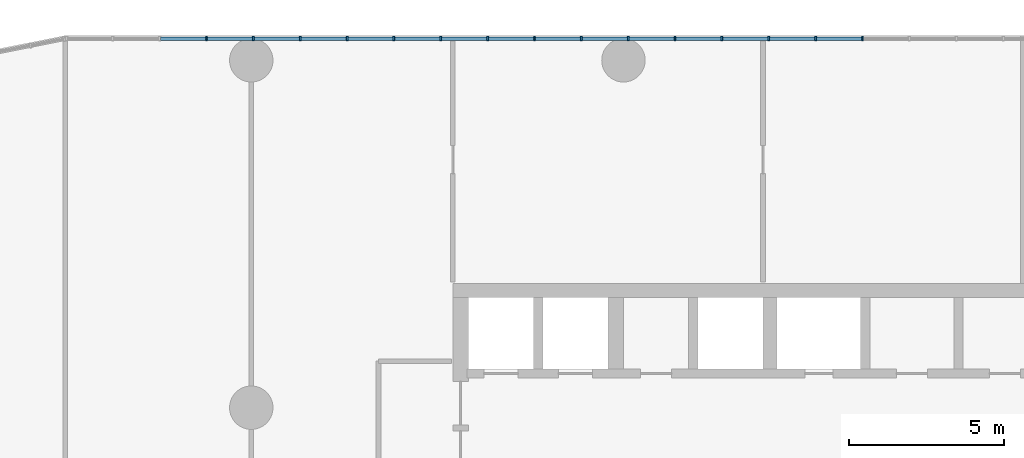
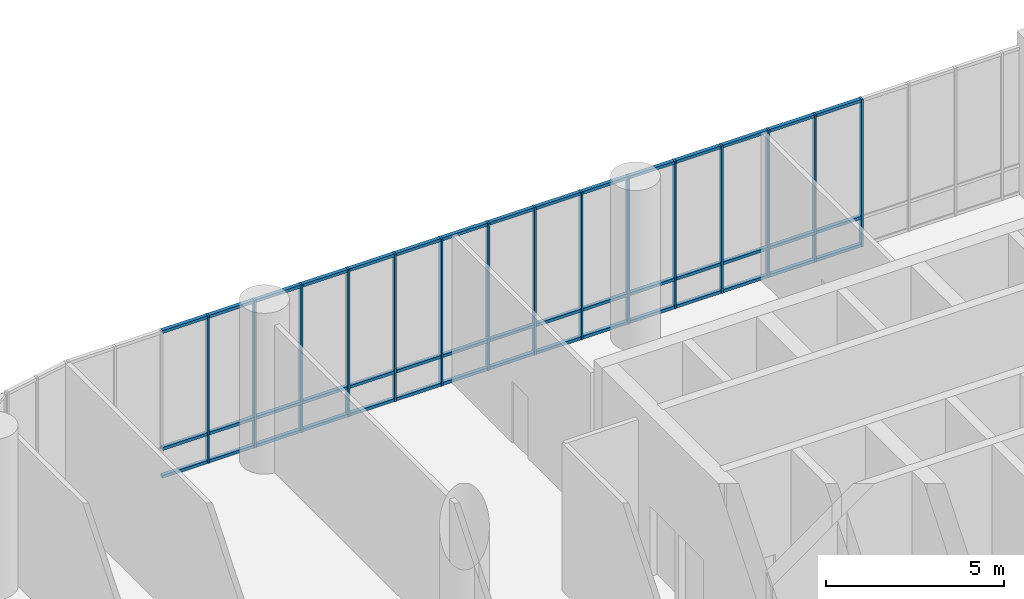
# One storey, part 10 of 30: 60 members, 1 element without a shape of its own.
"""IFC4 building model written with IfcOpenShell, lengths in metres."""

from ifc_helpers import new_model, si_unit, direction, frame, origin, origin_2d, place, context, subcontext, project, spatial, rectangle, extrude, material, layer, layer_set, material_profile, profile_set, type_object, element, aggregate, save


model = new_model("IFC4")

# Units and contexts
model_context = context("Model", 3, precision=1e-05, world=origin(), true_north=direction((0.0, 1.0)))
body_context = subcontext(model_context, "Body", "Model", "MODEL_VIEW")
ifc_project = project(units=[si_unit("LENGTHUNIT", "METRE"), si_unit("AREAUNIT", "SQUARE_METRE"), si_unit("VOLUMEUNIT", "CUBIC_METRE"), si_unit("PLANEANGLEUNIT", "RADIAN"), si_unit("MASSUNIT", "GRAM", prefix="KILO")], contexts=[model_context])

# Site, building, storey
site_placement = place(None, origin())
site = spatial("IfcSite", under=ifc_project, at=site_placement, CompositionType="ELEMENT")
building_placement = place(site_placement, origin())
building = spatial("IfcBuilding", under=site, at=building_placement, Name="Torana Hotel and Residences", CompositionType="ELEMENT")
storey_placement = place(building_placement, frame((0.0, 0.0, 12.5)))
storey = spatial("IfcBuildingStorey", under=building, at=storey_placement, Name="L02", CompositionType="ELEMENT", Elevation=12.5)

# Curtain wall, members
ifc_material_1 = material(Name="Dark anodised aluminium", Category="aluminium")
ifc_layer = layer(ifc_material_1, 0.14990234375)
ifc_layer_set = layer_set([ifc_layer], Name="CW5 PODIUM UPPER UNITISED CURTAIN WALL")
curtain_wall_type = type_object("IfcCurtainWallType", Name="CW5 PODIUM UPPER UNITISED CURTAIN WALL", PredefinedType="NOTDEFINED", material=ifc_layer_set)
curtain_wall_placement = place(storey_placement, origin())
curtain_wall = element("IfcCurtainWall", 1, at=curtain_wall_placement, inside=storey, type_object=curtain_wall_type, Name="Curtain wall CW5 L02 e0.2", PredefinedType="NOTDEFINED")
ifc_material_2 = material(Name="Dark anodised aluminium", Category="aluminium")
ifc_material_profile_1 = material_profile(ifc_material_2, rectangle(XDim=0.14990234375, YDim=0.06005859375, at=origin_2d()), Name="CW5 MULLION 60x150")
ifc_profile_set_1 = profile_set([ifc_material_profile_1], Name="Dark anodised aluminium")
member_type_1 = type_object("IfcMemberType", Name="CW5 MULLION 60x150", PredefinedType="MULLION", material=ifc_profile_set_1)
member_1_placement = place(storey_placement, frame((-16.29296875, 7.89990234375, 0.0), z_axis=(0.0, 0.0, 1.0), x_axis=(0.0, -1.0, 0.0)))
member_1 = element("IfcMember", 2, at=member_1_placement, type_object=member_type_1, Name="CW5 mullion 5", PredefinedType="MULLION", context=body_context, shape_type="SweptSolid", body=[
    extrude(rectangle(XDim=0.14990234375, YDim=0.06005859375, at=origin_2d()), origin(), (0.0, 0.0, 1.0), 5.050048828125),
])
member_2_placement = place(storey_placement, frame((-17.8037109375, 7.89990234375, 0.0), z_axis=(0.0, 0.0, 1.0), x_axis=(0.0, -1.0, 0.0)))
member_2 = element("IfcMember", 3, at=member_2_placement, type_object=member_type_1, Name="CW5 mullion 6", PredefinedType="MULLION", context=body_context, shape_type="SweptSolid", body=[
    extrude(rectangle(XDim=0.14990234375, YDim=0.06005859375, at=origin_2d()), origin(), (0.0, 0.0, 1.0), 5.050048828125),
])
member_3_placement = place(storey_placement, frame((-19.314453125, 7.89990234375, 0.0), z_axis=(0.0, 0.0, 1.0), x_axis=(0.0, -1.0, 0.0)))
member_3 = element("IfcMember", 4, at=member_3_placement, type_object=member_type_1, Name="CW5 mullion 7", PredefinedType="MULLION", context=body_context, shape_type="SweptSolid", body=[
    extrude(rectangle(XDim=0.14990234375, YDim=0.06005859375, at=origin_2d()), origin(), (0.0, 0.0, 1.0), 5.050048828125),
])
member_4_placement = place(storey_placement, frame((-20.8251953125, 7.89990234375, 0.0), z_axis=(0.0, 0.0, 1.0), x_axis=(0.0, -1.0, 0.0)))
member_4 = element("IfcMember", 5, at=member_4_placement, type_object=member_type_1, Name="CW5 mullion 8", PredefinedType="MULLION", context=body_context, shape_type="SweptSolid", body=[
    extrude(rectangle(XDim=0.14990234375, YDim=0.06005859375, at=origin_2d()), origin(), (0.0, 0.0, 1.0), 5.050048828125),
])
member_5_placement = place(storey_placement, frame((-22.3359375, 7.89990234375, 0.0), z_axis=(0.0, 0.0, 1.0), x_axis=(0.0, -1.0, 0.0)))
member_5 = element("IfcMember", 6, at=member_5_placement, type_object=member_type_1, Name="CW5 mullion 9", PredefinedType="MULLION", context=body_context, shape_type="SweptSolid", body=[
    extrude(rectangle(XDim=0.14990234375, YDim=0.06005859375, at=origin_2d()), origin(), (0.0, 0.0, 1.0), 5.050048828125),
])
member_6_placement = place(storey_placement, frame((-23.8466796875, 7.89990234375, 0.0), z_axis=(0.0, 0.0, 1.0), x_axis=(0.0, -1.0, 0.0)))
member_6 = element("IfcMember", 7, at=member_6_placement, type_object=member_type_1, Name="CW5 mullion 10", PredefinedType="MULLION", context=body_context, shape_type="SweptSolid", body=[
    extrude(rectangle(XDim=0.14990234375, YDim=0.06005859375, at=origin_2d()), origin(), (0.0, 0.0, 1.0), 5.050048828125),
])
member_7_placement = place(storey_placement, frame((-25.357421875, 7.89990234375, 0.0), z_axis=(0.0, 0.0, 1.0), x_axis=(0.0, -1.0, 0.0)))
member_7 = element("IfcMember", 8, at=member_7_placement, type_object=member_type_1, Name="CW5 mullion 11", PredefinedType="MULLION", context=body_context, shape_type="SweptSolid", body=[
    extrude(rectangle(XDim=0.14990234375, YDim=0.06005859375, at=origin_2d()), origin(), (0.0, 0.0, 1.0), 5.050048828125),
])
member_8_placement = place(storey_placement, frame((-26.8681640625, 7.89990234375, 0.0), z_axis=(0.0, 0.0, 1.0), x_axis=(0.0, -1.0, 0.0)))
member_8 = element("IfcMember", 9, at=member_8_placement, type_object=member_type_1, Name="CW5 mullion 12", PredefinedType="MULLION", context=body_context, shape_type="SweptSolid", body=[
    extrude(rectangle(XDim=0.14990234375, YDim=0.06005859375, at=origin_2d()), origin(), (0.0, 0.0, 1.0), 5.050048828125),
])
member_9_placement = place(storey_placement, frame((-28.37890625, 7.89990234375, 0.0), z_axis=(0.0, 0.0, 1.0), x_axis=(0.0, -1.0, 0.0)))
member_9 = element("IfcMember", 10, at=member_9_placement, type_object=member_type_1, Name="CW5 mullion 13", PredefinedType="MULLION", context=body_context, shape_type="SweptSolid", body=[
    extrude(rectangle(XDim=0.14990234375, YDim=0.06005859375, at=origin_2d()), origin(), (0.0, 0.0, 1.0), 5.050048828125),
])
member_10_placement = place(storey_placement, frame((-29.8896484375, 7.89990234375, 0.0), z_axis=(0.0, 0.0, 1.0), x_axis=(0.0, -1.0, 0.0)))
member_10 = element("IfcMember", 11, at=member_10_placement, type_object=member_type_1, Name="CW5 mullion 14", PredefinedType="MULLION", context=body_context, shape_type="SweptSolid", body=[
    extrude(rectangle(XDim=0.14990234375, YDim=0.06005859375, at=origin_2d()), origin(), (0.0, 0.0, 1.0), 5.050048828125),
])
member_11_placement = place(storey_placement, frame((-31.400146484375, 7.89990234375, 0.0), z_axis=(0.0, 0.0, 1.0), x_axis=(0.0, -1.0, 0.0)))
member_11 = element("IfcMember", 12, at=member_11_placement, type_object=member_type_1, Name="CW5 mullion 15", PredefinedType="MULLION", context=body_context, shape_type="SweptSolid", body=[
    extrude(rectangle(XDim=0.14990234375, YDim=0.06005859375, at=origin_2d()), origin(), (0.0, 0.0, 1.0), 5.050048828125),
])
member_12_placement = place(storey_placement, frame((-32.910888671875, 7.89990234375, 0.0), z_axis=(0.0, 0.0, 1.0), x_axis=(0.0, -1.0, 0.0)))
member_12 = element("IfcMember", 13, at=member_12_placement, type_object=member_type_1, Name="CW5 mullion 16", PredefinedType="MULLION", context=body_context, shape_type="SweptSolid", body=[
    extrude(rectangle(XDim=0.14990234375, YDim=0.06005859375, at=origin_2d()), origin(), (0.0, 0.0, 1.0), 5.050048828125),
])
member_13_placement = place(storey_placement, frame((-34.421630859375, 7.89990234375, 0.0), z_axis=(0.0, 0.0, 1.0), x_axis=(0.0, -1.0, 0.0)))
member_13 = element("IfcMember", 14, at=member_13_placement, type_object=member_type_1, Name="CW5 mullion 17", PredefinedType="MULLION", context=body_context, shape_type="SweptSolid", body=[
    extrude(rectangle(XDim=0.14990234375, YDim=0.06005859375, at=origin_2d()), origin(), (0.0, 0.0, 1.0), 5.050048828125),
])
member_14_placement = place(storey_placement, frame((-35.932373046875, 7.89990234375, 0.0), z_axis=(0.0, 0.0, 1.0), x_axis=(0.0, -1.0, 0.0)))
member_14 = element("IfcMember", 15, at=member_14_placement, type_object=member_type_1, Name="CW5 mullion 18", PredefinedType="MULLION", context=body_context, shape_type="SweptSolid", body=[
    extrude(rectangle(XDim=0.14990234375, YDim=0.06005859375, at=origin_2d()), origin(), (0.0, 0.0, 1.0), 5.050048828125),
])
member_15_placement = place(storey_placement, frame((-37.443115234375, 7.89990234375, 0.0), z_axis=(0.0, 0.0, 1.0), x_axis=(0.0, -1.0, 0.0)))
member_15 = element("IfcMember", 16, at=member_15_placement, type_object=member_type_1, Name="CW5 mullion 19", PredefinedType="MULLION", context=body_context, shape_type="SweptSolid", body=[
    extrude(rectangle(XDim=0.14990234375, YDim=0.06005859375, at=origin_2d()), origin(), (0.0, 0.0, 1.0), 5.050048828125),
])
ifc_material_3 = material(Name="Dark anodised aluminium", Category="aluminium")
ifc_material_profile_2 = material_profile(ifc_material_3, rectangle(XDim=0.1201171875, YDim=0.10009765625, at=origin_2d()), Name="CW5 TRANSOM 120x100")
ifc_profile_set_2 = profile_set([ifc_material_profile_2], Name="Dark anodised aluminium")
member_type_2 = type_object("IfcMemberType", Name="CW5 TRANSOM 120x100", PredefinedType="USERDEFINED", material=ifc_profile_set_2)
member_16_placement = place(storey_placement, frame((-16.322998046875, 7.89990234375, 0.050048828125), z_axis=(-1.0, 0.0, 0.0), x_axis=(0.0, -1.0, 0.0)))
member_16 = element("IfcMember", 17, at=member_16_placement, type_object=member_type_2, Name="CW5 transom 5.1", ObjectType="TRANSOM", PredefinedType="USERDEFINED", context=body_context, shape_type="SweptSolid", body=[
    extrude(rectangle(XDim=0.1201171875, YDim=0.10009765625, at=origin_2d()), origin(), (0.0, 0.0, 1.0), 1.45068359375),
])
member_17_placement = place(storey_placement, frame((-16.322998046875, 7.89990234375, 1.0), z_axis=(-1.0, 0.0, 0.0), x_axis=(0.0, -1.0, 0.0)))
member_17 = element("IfcMember", 18, at=member_17_placement, type_object=member_type_2, Name="CW5 transom 5.2", ObjectType="TRANSOM", PredefinedType="USERDEFINED", context=body_context, shape_type="SweptSolid", body=[
    extrude(rectangle(XDim=0.1201171875, YDim=0.10009765625, at=origin_2d()), origin(), (0.0, 0.0, 1.0), 1.45068359375),
])
member_18_placement = place(storey_placement, frame((-16.322998046875, 7.89990234375, 5.0), z_axis=(-1.0, 0.0, 0.0), x_axis=(0.0, -1.0, 0.0)))
member_18 = element("IfcMember", 19, at=member_18_placement, type_object=member_type_2, Name="CW5 transom 5.3", ObjectType="TRANSOM", PredefinedType="USERDEFINED", context=body_context, shape_type="SweptSolid", body=[
    extrude(rectangle(XDim=0.1201171875, YDim=0.10009765625, at=origin_2d()), origin(), (0.0, 0.0, 1.0), 1.45068359375),
])
member_19_placement = place(storey_placement, frame((-17.833740234375, 7.89990234375, 0.050048828125), z_axis=(-1.0, 0.0, 0.0), x_axis=(0.0, -1.0, 0.0)))
member_19 = element("IfcMember", 20, at=member_19_placement, type_object=member_type_2, Name="CW5 transom 6.1", ObjectType="TRANSOM", PredefinedType="USERDEFINED", context=body_context, shape_type="SweptSolid", body=[
    extrude(rectangle(XDim=0.1201171875, YDim=0.10009765625, at=origin_2d()), origin(), (0.0, 0.0, 1.0), 1.45068359375),
])
member_20_placement = place(storey_placement, frame((-17.833740234375, 7.89990234375, 1.0), z_axis=(-1.0, 0.0, 0.0), x_axis=(0.0, -1.0, 0.0)))
member_20 = element("IfcMember", 21, at=member_20_placement, type_object=member_type_2, Name="CW5 transom 6.2", ObjectType="TRANSOM", PredefinedType="USERDEFINED", context=body_context, shape_type="SweptSolid", body=[
    extrude(rectangle(XDim=0.1201171875, YDim=0.10009765625, at=origin_2d()), origin(), (0.0, 0.0, 1.0), 1.45068359375),
])
member_21_placement = place(storey_placement, frame((-17.833740234375, 7.89990234375, 5.0), z_axis=(-1.0, 0.0, 0.0), x_axis=(0.0, -1.0, 0.0)))
member_21 = element("IfcMember", 22, at=member_21_placement, type_object=member_type_2, Name="CW5 transom 6.3", ObjectType="TRANSOM", PredefinedType="USERDEFINED", context=body_context, shape_type="SweptSolid", body=[
    extrude(rectangle(XDim=0.1201171875, YDim=0.10009765625, at=origin_2d()), origin(), (0.0, 0.0, 1.0), 1.45068359375),
])
member_22_placement = place(storey_placement, frame((-19.344482421875, 7.89990234375, 0.050048828125), z_axis=(-1.0, 0.0, 0.0), x_axis=(0.0, -1.0, 0.0)))
member_22 = element("IfcMember", 23, at=member_22_placement, type_object=member_type_2, Name="CW5 transom 7.1", ObjectType="TRANSOM", PredefinedType="USERDEFINED", context=body_context, shape_type="SweptSolid", body=[
    extrude(rectangle(XDim=0.1201171875, YDim=0.10009765625, at=origin_2d()), origin(), (0.0, 0.0, 1.0), 1.45068359375),
])
member_23_placement = place(storey_placement, frame((-19.344482421875, 7.89990234375, 1.0), z_axis=(-1.0, 0.0, 0.0), x_axis=(0.0, -1.0, 0.0)))
member_23 = element("IfcMember", 24, at=member_23_placement, type_object=member_type_2, Name="CW5 transom 7.2", ObjectType="TRANSOM", PredefinedType="USERDEFINED", context=body_context, shape_type="SweptSolid", body=[
    extrude(rectangle(XDim=0.1201171875, YDim=0.10009765625, at=origin_2d()), origin(), (0.0, 0.0, 1.0), 1.45068359375),
])
member_24_placement = place(storey_placement, frame((-19.344482421875, 7.89990234375, 5.0), z_axis=(-1.0, 0.0, 0.0), x_axis=(0.0, -1.0, 0.0)))
member_24 = element("IfcMember", 25, at=member_24_placement, type_object=member_type_2, Name="CW5 transom 7.3", ObjectType="TRANSOM", PredefinedType="USERDEFINED", context=body_context, shape_type="SweptSolid", body=[
    extrude(rectangle(XDim=0.1201171875, YDim=0.10009765625, at=origin_2d()), origin(), (0.0, 0.0, 1.0), 1.45068359375),
])
member_25_placement = place(storey_placement, frame((-20.855224609375, 7.89990234375, 0.050048828125), z_axis=(-1.0, 0.0, 0.0), x_axis=(0.0, -1.0, 0.0)))
member_25 = element("IfcMember", 26, at=member_25_placement, type_object=member_type_2, Name="CW5 transom 8.1", ObjectType="TRANSOM", PredefinedType="USERDEFINED", context=body_context, shape_type="SweptSolid", body=[
    extrude(rectangle(XDim=0.1201171875, YDim=0.10009765625, at=origin_2d()), origin(), (0.0, 0.0, 1.0), 1.45068359375),
])
member_26_placement = place(storey_placement, frame((-20.855224609375, 7.89990234375, 1.0), z_axis=(-1.0, 0.0, 0.0), x_axis=(0.0, -1.0, 0.0)))
member_26 = element("IfcMember", 27, at=member_26_placement, type_object=member_type_2, Name="CW5 transom 8.2", ObjectType="TRANSOM", PredefinedType="USERDEFINED", context=body_context, shape_type="SweptSolid", body=[
    extrude(rectangle(XDim=0.1201171875, YDim=0.10009765625, at=origin_2d()), origin(), (0.0, 0.0, 1.0), 1.45068359375),
])
member_27_placement = place(storey_placement, frame((-20.855224609375, 7.89990234375, 5.0), z_axis=(-1.0, 0.0, 0.0), x_axis=(0.0, -1.0, 0.0)))
member_27 = element("IfcMember", 28, at=member_27_placement, type_object=member_type_2, Name="CW5 transom 8.3", ObjectType="TRANSOM", PredefinedType="USERDEFINED", context=body_context, shape_type="SweptSolid", body=[
    extrude(rectangle(XDim=0.1201171875, YDim=0.10009765625, at=origin_2d()), origin(), (0.0, 0.0, 1.0), 1.45068359375),
])
member_28_placement = place(storey_placement, frame((-22.365966796875, 7.89990234375, 0.050048828125), z_axis=(-1.0, 0.0, 0.0), x_axis=(0.0, -1.0, 0.0)))
member_28 = element("IfcMember", 29, at=member_28_placement, type_object=member_type_2, Name="CW5 transom 9.1", ObjectType="TRANSOM", PredefinedType="USERDEFINED", context=body_context, shape_type="SweptSolid", body=[
    extrude(rectangle(XDim=0.1201171875, YDim=0.10009765625, at=origin_2d()), origin(), (0.0, 0.0, 1.0), 1.45068359375),
])
member_29_placement = place(storey_placement, frame((-22.365966796875, 7.89990234375, 1.0), z_axis=(-1.0, 0.0, 0.0), x_axis=(0.0, -1.0, 0.0)))
member_29 = element("IfcMember", 30, at=member_29_placement, type_object=member_type_2, Name="CW5 transom 9.2", ObjectType="TRANSOM", PredefinedType="USERDEFINED", context=body_context, shape_type="SweptSolid", body=[
    extrude(rectangle(XDim=0.1201171875, YDim=0.10009765625, at=origin_2d()), origin(), (0.0, 0.0, 1.0), 1.45068359375),
])
member_30_placement = place(storey_placement, frame((-22.365966796875, 7.89990234375, 5.0), z_axis=(-1.0, 0.0, 0.0), x_axis=(0.0, -1.0, 0.0)))
member_30 = element("IfcMember", 31, at=member_30_placement, type_object=member_type_2, Name="CW5 transom 9.3", ObjectType="TRANSOM", PredefinedType="USERDEFINED", context=body_context, shape_type="SweptSolid", body=[
    extrude(rectangle(XDim=0.1201171875, YDim=0.10009765625, at=origin_2d()), origin(), (0.0, 0.0, 1.0), 1.45068359375),
])
member_31_placement = place(storey_placement, frame((-23.876708984375, 7.89990234375, 0.050048828125), z_axis=(-1.0, 0.0, 0.0), x_axis=(0.0, -1.0, 0.0)))
member_31 = element("IfcMember", 32, at=member_31_placement, type_object=member_type_2, Name="CW5 transom 10.1", ObjectType="TRANSOM", PredefinedType="USERDEFINED", context=body_context, shape_type="SweptSolid", body=[
    extrude(rectangle(XDim=0.1201171875, YDim=0.10009765625, at=origin_2d()), origin(), (0.0, 0.0, 1.0), 1.45068359375),
])
member_32_placement = place(storey_placement, frame((-23.876708984375, 7.89990234375, 1.0), z_axis=(-1.0, 0.0, 0.0), x_axis=(0.0, -1.0, 0.0)))
member_32 = element("IfcMember", 33, at=member_32_placement, type_object=member_type_2, Name="CW5 transom 10.2", ObjectType="TRANSOM", PredefinedType="USERDEFINED", context=body_context, shape_type="SweptSolid", body=[
    extrude(rectangle(XDim=0.1201171875, YDim=0.10009765625, at=origin_2d()), origin(), (0.0, 0.0, 1.0), 1.45068359375),
])
member_33_placement = place(storey_placement, frame((-23.876708984375, 7.89990234375, 5.0), z_axis=(-1.0, 0.0, 0.0), x_axis=(0.0, -1.0, 0.0)))
member_33 = element("IfcMember", 34, at=member_33_placement, type_object=member_type_2, Name="CW5 transom 10.3", ObjectType="TRANSOM", PredefinedType="USERDEFINED", context=body_context, shape_type="SweptSolid", body=[
    extrude(rectangle(XDim=0.1201171875, YDim=0.10009765625, at=origin_2d()), origin(), (0.0, 0.0, 1.0), 1.45068359375),
])
member_34_placement = place(storey_placement, frame((-25.387451171875, 7.89990234375, 0.050048828125), z_axis=(-1.0, 0.0, 0.0), x_axis=(0.0, -1.0, 0.0)))
member_34 = element("IfcMember", 35, at=member_34_placement, type_object=member_type_2, Name="CW5 transom 11.1", ObjectType="TRANSOM", PredefinedType="USERDEFINED", context=body_context, shape_type="SweptSolid", body=[
    extrude(rectangle(XDim=0.1201171875, YDim=0.10009765625, at=origin_2d()), origin(), (0.0, 0.0, 1.0), 1.45068359375),
])
member_35_placement = place(storey_placement, frame((-25.387451171875, 7.89990234375, 1.0), z_axis=(-1.0, 0.0, 0.0), x_axis=(0.0, -1.0, 0.0)))
member_35 = element("IfcMember", 36, at=member_35_placement, type_object=member_type_2, Name="CW5 transom 11.2", ObjectType="TRANSOM", PredefinedType="USERDEFINED", context=body_context, shape_type="SweptSolid", body=[
    extrude(rectangle(XDim=0.1201171875, YDim=0.10009765625, at=origin_2d()), origin(), (0.0, 0.0, 1.0), 1.45068359375),
])
member_36_placement = place(storey_placement, frame((-25.387451171875, 7.89990234375, 5.0), z_axis=(-1.0, 0.0, 0.0), x_axis=(0.0, -1.0, 0.0)))
member_36 = element("IfcMember", 37, at=member_36_placement, type_object=member_type_2, Name="CW5 transom 11.3", ObjectType="TRANSOM", PredefinedType="USERDEFINED", context=body_context, shape_type="SweptSolid", body=[
    extrude(rectangle(XDim=0.1201171875, YDim=0.10009765625, at=origin_2d()), origin(), (0.0, 0.0, 1.0), 1.45068359375),
])
member_37_placement = place(storey_placement, frame((-26.89794921875, 7.89990234375, 0.050048828125), z_axis=(-1.0, 0.0, 0.0), x_axis=(0.0, -1.0, 0.0)))
member_37 = element("IfcMember", 38, at=member_37_placement, type_object=member_type_2, Name="CW5 transom 12.1", ObjectType="TRANSOM", PredefinedType="USERDEFINED", context=body_context, shape_type="SweptSolid", body=[
    extrude(rectangle(XDim=0.1201171875, YDim=0.10009765625, at=origin_2d()), origin(), (0.0, 0.0, 1.0), 1.450927734375),
])
member_38_placement = place(storey_placement, frame((-26.89794921875, 7.89990234375, 1.0), z_axis=(-1.0, 0.0, 0.0), x_axis=(0.0, -1.0, 0.0)))
member_38 = element("IfcMember", 39, at=member_38_placement, type_object=member_type_2, Name="CW5 transom 12.2", ObjectType="TRANSOM", PredefinedType="USERDEFINED", context=body_context, shape_type="SweptSolid", body=[
    extrude(rectangle(XDim=0.1201171875, YDim=0.10009765625, at=origin_2d()), origin(), (0.0, 0.0, 1.0), 1.450927734375),
])
member_39_placement = place(storey_placement, frame((-26.89794921875, 7.89990234375, 5.0), z_axis=(-1.0, 0.0, 0.0), x_axis=(0.0, -1.0, 0.0)))
member_39 = element("IfcMember", 40, at=member_39_placement, type_object=member_type_2, Name="CW5 transom 12.3", ObjectType="TRANSOM", PredefinedType="USERDEFINED", context=body_context, shape_type="SweptSolid", body=[
    extrude(rectangle(XDim=0.1201171875, YDim=0.10009765625, at=origin_2d()), origin(), (0.0, 0.0, 1.0), 1.450927734375),
])
member_40_placement = place(storey_placement, frame((-28.40869140625, 7.89990234375, 0.050048828125), z_axis=(-1.0, 0.0, 0.0), x_axis=(0.0, -1.0, 0.0)))
member_40 = element("IfcMember", 41, at=member_40_placement, type_object=member_type_2, Name="CW5 transom 13.1", ObjectType="TRANSOM", PredefinedType="USERDEFINED", context=body_context, shape_type="SweptSolid", body=[
    extrude(rectangle(XDim=0.1201171875, YDim=0.10009765625, at=origin_2d()), origin(), (0.0, 0.0, 1.0), 1.450927734375),
])
member_41_placement = place(storey_placement, frame((-28.40869140625, 7.89990234375, 1.0), z_axis=(-1.0, 0.0, 0.0), x_axis=(0.0, -1.0, 0.0)))
member_41 = element("IfcMember", 42, at=member_41_placement, type_object=member_type_2, Name="CW5 transom 13.2", ObjectType="TRANSOM", PredefinedType="USERDEFINED", context=body_context, shape_type="SweptSolid", body=[
    extrude(rectangle(XDim=0.1201171875, YDim=0.10009765625, at=origin_2d()), origin(), (0.0, 0.0, 1.0), 1.450927734375),
])
member_42_placement = place(storey_placement, frame((-28.40869140625, 7.89990234375, 5.0), z_axis=(-1.0, 0.0, 0.0), x_axis=(0.0, -1.0, 0.0)))
member_42 = element("IfcMember", 43, at=member_42_placement, type_object=member_type_2, Name="CW5 transom 13.3", ObjectType="TRANSOM", PredefinedType="USERDEFINED", context=body_context, shape_type="SweptSolid", body=[
    extrude(rectangle(XDim=0.1201171875, YDim=0.10009765625, at=origin_2d()), origin(), (0.0, 0.0, 1.0), 1.450927734375),
])
member_43_placement = place(storey_placement, frame((-29.91943359375, 7.89990234375, 0.050048828125), z_axis=(-1.0, 0.0, 0.0), x_axis=(0.0, -1.0, 0.0)))
member_43 = element("IfcMember", 44, at=member_43_placement, type_object=member_type_2, Name="CW5 transom 14.1", ObjectType="TRANSOM", PredefinedType="USERDEFINED", context=body_context, shape_type="SweptSolid", body=[
    extrude(rectangle(XDim=0.1201171875, YDim=0.10009765625, at=origin_2d()), origin(), (0.0, 0.0, 1.0), 1.450927734375),
])
member_44_placement = place(storey_placement, frame((-29.91943359375, 7.89990234375, 1.0), z_axis=(-1.0, 0.0, 0.0), x_axis=(0.0, -1.0, 0.0)))
member_44 = element("IfcMember", 45, at=member_44_placement, type_object=member_type_2, Name="CW5 transom 14.2", ObjectType="TRANSOM", PredefinedType="USERDEFINED", context=body_context, shape_type="SweptSolid", body=[
    extrude(rectangle(XDim=0.1201171875, YDim=0.10009765625, at=origin_2d()), origin(), (0.0, 0.0, 1.0), 1.450927734375),
])
member_45_placement = place(storey_placement, frame((-29.91943359375, 7.89990234375, 5.0), z_axis=(-1.0, 0.0, 0.0), x_axis=(0.0, -1.0, 0.0)))
member_45 = element("IfcMember", 46, at=member_45_placement, type_object=member_type_2, Name="CW5 transom 14.3", ObjectType="TRANSOM", PredefinedType="USERDEFINED", context=body_context, shape_type="SweptSolid", body=[
    extrude(rectangle(XDim=0.1201171875, YDim=0.10009765625, at=origin_2d()), origin(), (0.0, 0.0, 1.0), 1.450927734375),
])
member_46_placement = place(storey_placement, frame((-31.43017578125, 7.89990234375, 0.050048828125), z_axis=(-1.0, 0.0, 0.0), x_axis=(0.0, -1.0, 0.0)))
member_46 = element("IfcMember", 47, at=member_46_placement, type_object=member_type_2, Name="CW5 transom 15.1", ObjectType="TRANSOM", PredefinedType="USERDEFINED", context=body_context, shape_type="SweptSolid", body=[
    extrude(rectangle(XDim=0.1201171875, YDim=0.10009765625, at=origin_2d()), origin(), (0.0, 0.0, 1.0), 1.450927734375),
])
member_47_placement = place(storey_placement, frame((-31.43017578125, 7.89990234375, 1.0), z_axis=(-1.0, 0.0, 0.0), x_axis=(0.0, -1.0, 0.0)))
member_47 = element("IfcMember", 48, at=member_47_placement, type_object=member_type_2, Name="CW5 transom 15.2", ObjectType="TRANSOM", PredefinedType="USERDEFINED", context=body_context, shape_type="SweptSolid", body=[
    extrude(rectangle(XDim=0.1201171875, YDim=0.10009765625, at=origin_2d()), origin(), (0.0, 0.0, 1.0), 1.450927734375),
])
member_48_placement = place(storey_placement, frame((-31.43017578125, 7.89990234375, 5.0), z_axis=(-1.0, 0.0, 0.0), x_axis=(0.0, -1.0, 0.0)))
member_48 = element("IfcMember", 49, at=member_48_placement, type_object=member_type_2, Name="CW5 transom 15.3", ObjectType="TRANSOM", PredefinedType="USERDEFINED", context=body_context, shape_type="SweptSolid", body=[
    extrude(rectangle(XDim=0.1201171875, YDim=0.10009765625, at=origin_2d()), origin(), (0.0, 0.0, 1.0), 1.450927734375),
])
member_49_placement = place(storey_placement, frame((-32.94091796875, 7.89990234375, 0.050048828125), z_axis=(-1.0, 0.0, 0.0), x_axis=(0.0, -1.0, 0.0)))
member_49 = element("IfcMember", 50, at=member_49_placement, type_object=member_type_2, Name="CW5 transom 16.1", ObjectType="TRANSOM", PredefinedType="USERDEFINED", context=body_context, shape_type="SweptSolid", body=[
    extrude(rectangle(XDim=0.1201171875, YDim=0.10009765625, at=origin_2d()), origin(), (0.0, 0.0, 1.0), 1.450927734375),
])
member_50_placement = place(storey_placement, frame((-32.94091796875, 7.89990234375, 1.0), z_axis=(-1.0, 0.0, 0.0), x_axis=(0.0, -1.0, 0.0)))
member_50 = element("IfcMember", 51, at=member_50_placement, type_object=member_type_2, Name="CW5 transom 16.2", ObjectType="TRANSOM", PredefinedType="USERDEFINED", context=body_context, shape_type="SweptSolid", body=[
    extrude(rectangle(XDim=0.1201171875, YDim=0.10009765625, at=origin_2d()), origin(), (0.0, 0.0, 1.0), 1.450927734375),
])
member_51_placement = place(storey_placement, frame((-32.94091796875, 7.89990234375, 5.0), z_axis=(-1.0, 0.0, 0.0), x_axis=(0.0, -1.0, 0.0)))
member_51 = element("IfcMember", 52, at=member_51_placement, type_object=member_type_2, Name="CW5 transom 16.3", ObjectType="TRANSOM", PredefinedType="USERDEFINED", context=body_context, shape_type="SweptSolid", body=[
    extrude(rectangle(XDim=0.1201171875, YDim=0.10009765625, at=origin_2d()), origin(), (0.0, 0.0, 1.0), 1.450927734375),
])
member_52_placement = place(storey_placement, frame((-34.45166015625, 7.89990234375, 0.050048828125), z_axis=(-1.0, 0.0, 0.0), x_axis=(0.0, -1.0, 0.0)))
member_52 = element("IfcMember", 53, at=member_52_placement, type_object=member_type_2, Name="CW5 transom 17.1", ObjectType="TRANSOM", PredefinedType="USERDEFINED", context=body_context, shape_type="SweptSolid", body=[
    extrude(rectangle(XDim=0.1201171875, YDim=0.10009765625, at=origin_2d()), origin(), (0.0, 0.0, 1.0), 1.450927734375),
])
member_53_placement = place(storey_placement, frame((-34.45166015625, 7.89990234375, 1.0), z_axis=(-1.0, 0.0, 0.0), x_axis=(0.0, -1.0, 0.0)))
member_53 = element("IfcMember", 54, at=member_53_placement, type_object=member_type_2, Name="CW5 transom 17.2", ObjectType="TRANSOM", PredefinedType="USERDEFINED", context=body_context, shape_type="SweptSolid", body=[
    extrude(rectangle(XDim=0.1201171875, YDim=0.10009765625, at=origin_2d()), origin(), (0.0, 0.0, 1.0), 1.450927734375),
])
member_54_placement = place(storey_placement, frame((-34.45166015625, 7.89990234375, 5.0), z_axis=(-1.0, 0.0, 0.0), x_axis=(0.0, -1.0, 0.0)))
member_54 = element("IfcMember", 55, at=member_54_placement, type_object=member_type_2, Name="CW5 transom 17.3", ObjectType="TRANSOM", PredefinedType="USERDEFINED", context=body_context, shape_type="SweptSolid", body=[
    extrude(rectangle(XDim=0.1201171875, YDim=0.10009765625, at=origin_2d()), origin(), (0.0, 0.0, 1.0), 1.450927734375),
])
member_55_placement = place(storey_placement, frame((-35.96240234375, 7.89990234375, 0.050048828125), z_axis=(-1.0, 0.0, 0.0), x_axis=(0.0, -1.0, 0.0)))
member_55 = element("IfcMember", 56, at=member_55_placement, type_object=member_type_2, Name="CW5 transom 18.1", ObjectType="TRANSOM", PredefinedType="USERDEFINED", context=body_context, shape_type="SweptSolid", body=[
    extrude(rectangle(XDim=0.1201171875, YDim=0.10009765625, at=origin_2d()), origin(), (0.0, 0.0, 1.0), 1.45068359375),
])
member_56_placement = place(storey_placement, frame((-35.96240234375, 7.89990234375, 1.0), z_axis=(-1.0, 0.0, 0.0), x_axis=(0.0, -1.0, 0.0)))
member_56 = element("IfcMember", 57, at=member_56_placement, type_object=member_type_2, Name="CW5 transom 18.2", ObjectType="TRANSOM", PredefinedType="USERDEFINED", context=body_context, shape_type="SweptSolid", body=[
    extrude(rectangle(XDim=0.1201171875, YDim=0.10009765625, at=origin_2d()), origin(), (0.0, 0.0, 1.0), 1.45068359375),
])
member_57_placement = place(storey_placement, frame((-35.96240234375, 7.89990234375, 5.0), z_axis=(-1.0, 0.0, 0.0), x_axis=(0.0, -1.0, 0.0)))
member_57 = element("IfcMember", 58, at=member_57_placement, type_object=member_type_2, Name="CW5 transom 18.3", ObjectType="TRANSOM", PredefinedType="USERDEFINED", context=body_context, shape_type="SweptSolid", body=[
    extrude(rectangle(XDim=0.1201171875, YDim=0.10009765625, at=origin_2d()), origin(), (0.0, 0.0, 1.0), 1.45068359375),
])
member_58_placement = place(storey_placement, frame((-37.47314453125, 7.89990234375, 0.050048828125), z_axis=(-1.0, 0.0, 0.0), x_axis=(0.0, -1.0, 0.0)))
member_58 = element("IfcMember", 59, at=member_58_placement, type_object=member_type_2, Name="CW5 transom 19.1", ObjectType="TRANSOM", PredefinedType="USERDEFINED", context=body_context, shape_type="SweptSolid", body=[
    extrude(rectangle(XDim=0.1201171875, YDim=0.10009765625, at=origin_2d()), origin(), (0.0, 0.0, 1.0), 1.45068359375),
])
member_59_placement = place(storey_placement, frame((-37.47314453125, 7.89990234375, 1.0), z_axis=(-1.0, 0.0, 0.0), x_axis=(0.0, -1.0, 0.0)))
member_59 = element("IfcMember", 60, at=member_59_placement, type_object=member_type_2, Name="CW5 transom 19.2", ObjectType="TRANSOM", PredefinedType="USERDEFINED", context=body_context, shape_type="SweptSolid", body=[
    extrude(rectangle(XDim=0.1201171875, YDim=0.10009765625, at=origin_2d()), origin(), (0.0, 0.0, 1.0), 1.45068359375),
])
member_60_placement = place(storey_placement, frame((-37.47314453125, 7.89990234375, 5.0), z_axis=(-1.0, 0.0, 0.0), x_axis=(0.0, -1.0, 0.0)))
member_60 = element("IfcMember", 61, at=member_60_placement, type_object=member_type_2, Name="CW5 transom 19.3", ObjectType="TRANSOM", PredefinedType="USERDEFINED", context=body_context, shape_type="SweptSolid", body=[
    extrude(rectangle(XDim=0.1201171875, YDim=0.10009765625, at=origin_2d()), origin(), (0.0, 0.0, 1.0), 1.45068359375),
])
aggregate(curtain_wall, [member_1, member_2, member_3, member_4, member_5, member_6, member_7, member_8, member_9, member_10, member_11, member_12, member_13, member_14, member_15, member_16, member_17, member_18, member_19, member_20, member_21, member_22, member_23, member_24, member_25, member_26, member_27, member_28, member_29, member_30, member_31, member_32, member_33, member_34, member_35, member_36, member_37, member_38, member_39, member_40, member_41, member_42, member_43, member_44, member_45, member_46, member_47, member_48, member_49, member_50, member_51, member_52, member_53, member_54, member_55, member_56, member_57, member_58, member_59, member_60])

save(model, "model.ifc")
